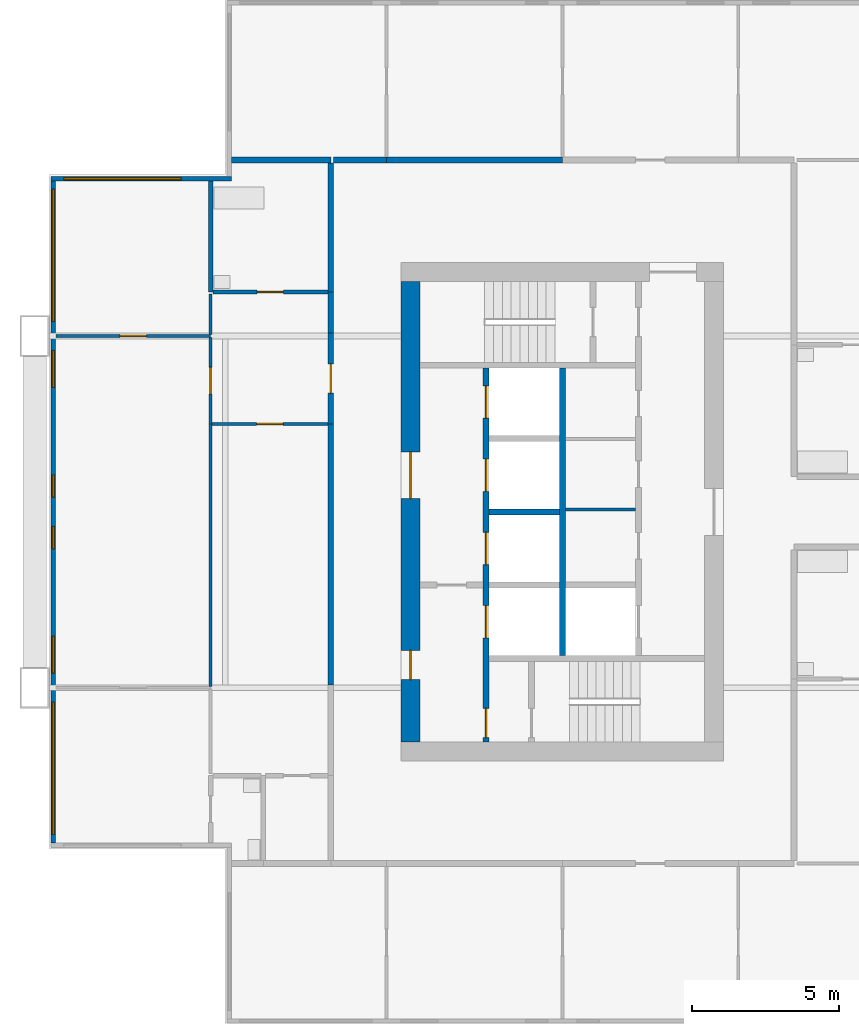
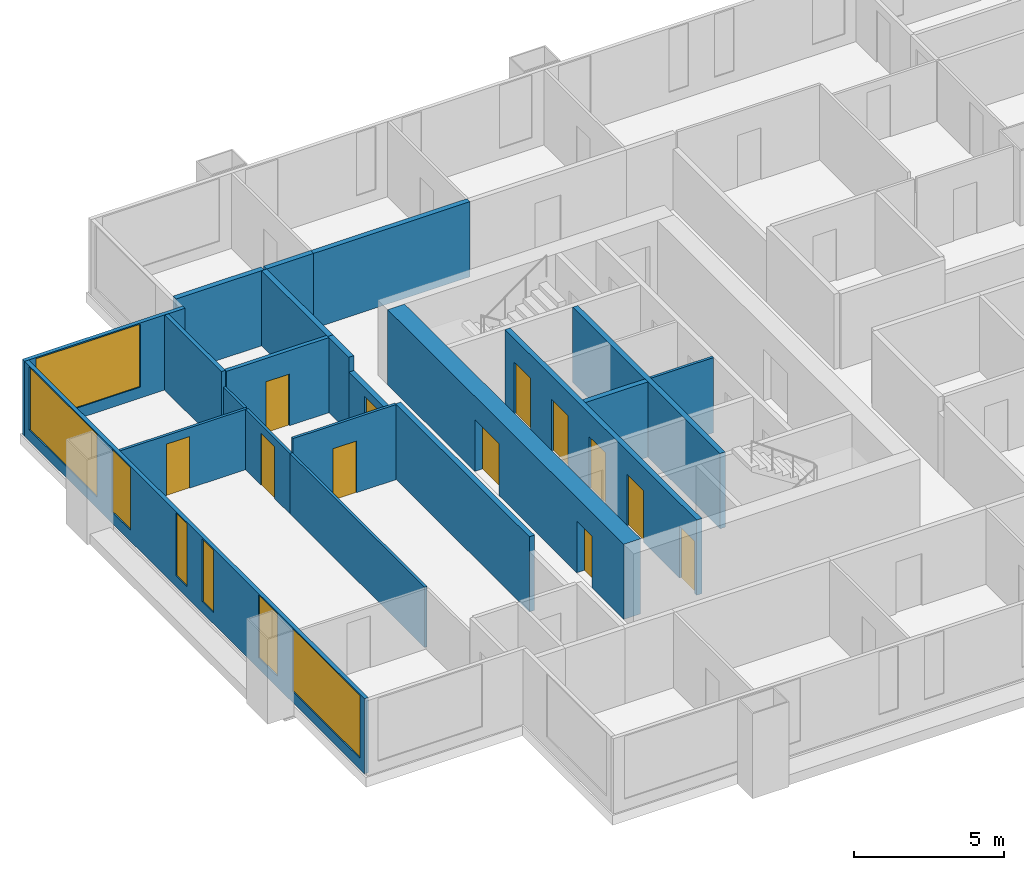
# One storey, part 3 of 11: 21 walls, 12 doors, 7 windows, 19 openings.
"""IFC4 building model written with IfcOpenShell, lengths in metres."""

import ifcopenshell
import ifcopenshell.guid

model = None  # the IFC model being written
_history = None  # IfcOwnerHistory: only IFC2X3 demands one
_inside = {}  # id of a spatial element -> (the spatial element, [elements in it])
_under = {}  # id of a project, library or spatial element -> (it, [spatial elements below it])
_declared = {}  # id of a project -> (the project, [libraries it declares])
_typed = {}  # id of a type object -> (the type object, [elements of that type])
_made_of = {}  # id of a material, layer set ... -> (it, [elements and type objects made of it])


def new_model(schema):
    """Start an empty IFC model of exactly this schema.

    Asked for "IFC4X3", IfcOpenShell would pick the latest addendum, in which some entities
    have other attributes; the version numbers below select the first issue.
    IFC2X3 requires an IfcOwnerHistory on every rooted entity: one is made here for all.
    """
    global model, _history
    if schema == "IFC4X3":
        model = ifcopenshell.file(schema_version=(4, 3, 0, 0))
    else:
        model = ifcopenshell.file(schema=schema)
    _inside.clear()
    _under.clear()
    _declared.clear()
    _typed.clear()
    _made_of.clear()
    _history = None
    if model.schema == "IFC2X3":
        org = make("IfcOrganization", Name="unknown")
        user = make(
            "IfcPersonAndOrganization",
            ThePerson=make("IfcPerson", FamilyName="unknown"),
            TheOrganization=org,
        )
        app = make(
            "IfcApplication",
            ApplicationDeveloper=org,
            Version="unknown",
            ApplicationFullName="unknown",
            ApplicationIdentifier="unknown",
        )
        _history = make(
            "IfcOwnerHistory",
            OwningUser=user,
            OwningApplication=app,
            ChangeAction="ADDED",
            CreationDate=0,
        )
    return model


def make(cls, **values):
    """One entity of the class cls with the attributes given. An attribute that is None is left unset."""
    return model.create_entity(
        cls, **{name: value for name, value in values.items() if value is not None}
    )


def rooted(cls, **values):
    """An entity with a GlobalId (a new one), such as an element, a storey or a relation."""
    return make(cls, GlobalId=ifcopenshell.guid.new(), OwnerHistory=_history, **values)


def si_unit(unit_type, name, prefix=None):
    """IfcSIUnit, for example si_unit("LENGTHUNIT", "METRE", prefix="MILLI")."""
    return make("IfcSIUnit", UnitType=unit_type, Prefix=prefix, Name=name)


def assignment(units):
    """IfcUnitAssignment: the units of a project."""
    return None if units is None else make("IfcUnitAssignment", Units=units)


def point(xyz):
    """IfcCartesianPoint."""
    return None if xyz is None else make("IfcCartesianPoint", Coordinates=xyz)


def direction(xyz):
    """IfcDirection."""
    return None if xyz is None else make("IfcDirection", DirectionRatios=xyz)


def frame(location, z_axis=None, x_axis=None):
    """IfcAxis2Placement3D, a coordinate frame: its origin and axes. An axis left out is left unset."""
    return make(
        "IfcAxis2Placement3D",
        Location=point(location),
        Axis=direction(z_axis),
        RefDirection=direction(x_axis),
    )


def frame_2d(location, x_axis=None):
    """IfcAxis2Placement2D, a coordinate frame in the plane: its origin and x axis."""
    return make(
        "IfcAxis2Placement2D", Location=point(location), RefDirection=direction(x_axis)
    )


def origin():
    """The frame at (0, 0, 0) with its axes left unset."""
    return frame((0.0, 0.0, 0.0))


def place(relative_to, where):
    """IfcLocalPlacement: puts the frame where relative to a parent placement (None: the world)."""
    return make(
        "IfcLocalPlacement", PlacementRelTo=relative_to, RelativePlacement=where
    )


def context(
    kind, dimensions, precision=None, world=None, true_north=None, identifier=None
):
    """IfcGeometricRepresentationContext, for example the 3D "Model" context."""
    return make(
        "IfcGeometricRepresentationContext",
        ContextIdentifier=identifier,
        ContextType=kind,
        CoordinateSpaceDimension=dimensions,
        Precision=precision,
        WorldCoordinateSystem=world,
        TrueNorth=true_north,
    )


def subcontext(parent, identifier, kind, view, scale=None):
    """IfcGeometricRepresentationSubContext, for example "Body" below "Model"."""
    return make(
        "IfcGeometricRepresentationSubContext",
        ContextIdentifier=identifier,
        ContextType=kind,
        ParentContext=parent,
        TargetScale=scale,
        TargetView=view,
    )


def project(units=None, contexts=None):
    """IfcProject with its units and contexts."""
    return rooted(
        "IfcProject",
        Name="project",
        RepresentationContexts=contexts,
        UnitsInContext=assignment(units),
    )


def spatial(cls, under=None, at=None, **own):
    """A site, building, storey or space (cls), placed at a placement, below another one or the project."""
    s = rooted(cls, ObjectPlacement=at, **own)
    if under is not None:
        _under.setdefault(under.id(), (under, []))[1].append(s)
    return s


def profile(cls, at=None, kind="AREA", **sizes):
    """A parametric profile (cls). Its sizes go by their IFC names, for example OverallWidth=200.0."""
    return make(cls, ProfileType=kind, Position=at, **sizes)


def rectangle(**sizes):
    """IfcRectangleProfileDef."""
    return profile("IfcRectangleProfileDef", **sizes)


def extrude(swept, where, along, depth):
    """IfcExtrudedAreaSolid: the profile swept, set in the frame where, extruded along a direction by depth."""
    return make(
        "IfcExtrudedAreaSolid",
        SweptArea=swept,
        Position=where,
        ExtrudedDirection=direction(along),
        Depth=depth,
    )


def shape(context_of_items, identifier, shape_type, items):
    """IfcShapeRepresentation: the items that make up one representation, for example the "Body"."""
    return make(
        "IfcShapeRepresentation",
        ContextOfItems=context_of_items,
        RepresentationIdentifier=identifier,
        RepresentationType=shape_type,
        Items=items,
    )


def material(Name=None, Category=None):
    """IfcMaterial."""
    return make("IfcMaterial", Name=Name, Category=Category)


def layer(
    of_material, thickness, ventilated=None, Name=None, Category=None, Priority=None
):
    """IfcMaterialLayer: one layer of a wall or slab, of a material (None: an air gap)."""
    return make(
        "IfcMaterialLayer",
        Material=of_material,
        LayerThickness=thickness,
        IsVentilated=ventilated,
        Name=Name,
        Category=Category,
        Priority=Priority,
    )


def layer_set(layers, Name=None):
    """IfcMaterialLayerSet."""
    return make("IfcMaterialLayerSet", MaterialLayers=layers, LayerSetName=Name)


def made_of(thing, what):
    """Note that an element or type object is made of a material, layer set ...; save() writes the relation."""
    if what is not None:
        _made_of.setdefault(what.id(), (what, []))[1].append(thing)
    return thing


def type_object(cls, material=None, **own):
    """A type object (cls), such as IfcWallType, which elements share."""
    return made_of(rooted(cls, **own), material)


def element(
    cls,
    number,
    at=None,
    inside=None,
    cuts=None,
    type_object=None,
    material=None,
    context=None,
    identifier="Body",
    shape_type=None,
    held_by="IfcProductDefinitionShape",
    body=None,
    shapes=None,
    **own,
):
    """One element of the class cls, such as IfcWall. Its Tag is "e" and its number.

    at: its placement. inside: the storey or other place that contains it. cuts: it is an
    opening in that element (IfcRelVoidsElement). A single representation is given by context,
    identifier, shape_type and body (its items); several are given by shapes. held_by: the class
    of the entity that holds the representations. save() writes the other relations.
    """
    e = rooted(cls, Tag="e%d" % number, ObjectPlacement=at, **own)
    if body is not None:
        shapes = [shape(context, identifier, shape_type, body)]
    if shapes is not None:
        e.Representation = make(held_by, Representations=shapes)
    if inside is not None:
        _inside.setdefault(inside.id(), (inside, []))[1].append(e)
    if cuts is not None:
        rooted(
            "IfcRelVoidsElement", RelatingBuildingElement=cuts, RelatedOpeningElement=e
        )
    if type_object is not None:
        _typed.setdefault(type_object.id(), (type_object, []))[1].append(e)
    return made_of(e, material)


def fill(opening, filler):
    """IfcRelFillsElement: the door or window that sits in an opening."""
    return rooted(
        "IfcRelFillsElement",
        RelatingOpeningElement=opening,
        RelatedBuildingElement=filler,
    )


def aggregate(whole, parts):
    """IfcRelAggregates: a whole, such as a stair, and the parts it consists of."""
    return rooted("IfcRelAggregates", RelatingObject=whole, RelatedObjects=parts)


def save(model, path):
    """Write the relations noted so far, then the file.

    IfcRelAggregates (storeys below a building ...), IfcRelContainedInSpatialStructure (elements
    in a storey), IfcRelDefinesByType, IfcRelAssociatesMaterial and IfcRelDeclares: one each for
    every whole, place, type object, material and project.
    """
    for whole, parts in _under.values():
        aggregate(whole, parts)
    for where, things in _inside.values():
        rooted(
            "IfcRelContainedInSpatialStructure",
            RelatedElements=things,
            RelatingStructure=where,
        )
    for kind, things in _typed.values():
        rooted("IfcRelDefinesByType", RelatedObjects=things, RelatingType=kind)
    for what, things in _made_of.values():
        rooted("IfcRelAssociatesMaterial", RelatedObjects=things, RelatingMaterial=what)
    for by, libraries in _declared.values():
        rooted("IfcRelDeclares", RelatingContext=by, RelatedDefinitions=libraries)
    model.write(path)


model = new_model("IFC4")

# Units and contexts
model_context = context("Model", 3, precision=1e-05, world=origin(), true_north=direction((0.0, 1.0)))
body_context = subcontext(model_context, "Body", "Model", "MODEL_VIEW")
ifc_project = project(units=[si_unit("LENGTHUNIT", "METRE"), si_unit("AREAUNIT", "SQUARE_METRE"), si_unit("VOLUMEUNIT", "CUBIC_METRE"), si_unit("PLANEANGLEUNIT", "RADIAN"), si_unit("MASSUNIT", "GRAM", prefix="KILO")], contexts=[model_context])

# Site, building, storey
site_placement = place(None, origin())
site = spatial("IfcSite", under=ifc_project, at=site_placement, CompositionType="ELEMENT")
building_placement = place(site_placement, origin())
building = spatial("IfcBuilding", under=site, at=building_placement, Name="Kitamizu Gate Tower and Museum", CompositionType="ELEMENT")
storey_placement = place(building_placement, frame((0.0, 0.0, 124.199951171875)))
storey = spatial("IfcBuildingStorey", under=building, at=storey_placement, Name="L32", CompositionType="ELEMENT", Elevation=124.199951171875)

# Wall, openings, doors
ifc_material_1 = material(Name="Concrete Fc60", Category="concrete")
ifc_layer_1 = layer(ifc_material_1, 0.64990234375)
ifc_layer_set_1 = layer_set([ifc_layer_1], Name="Concrete Fc60")
wall_type_1 = type_object("IfcWallType", Name="Core wall 650", PredefinedType="SHEAR", material=ifc_layer_set_1)
wall_1_placement = place(storey_placement, frame((12.824951171875, 22.14990234375, 0.0), z_axis=(0.0, 0.0, 1.0), x_axis=(0.0, 1.0, 0.0)))
wall_1 = element("IfcWall", 1, at=wall_1_placement, inside=storey, type_object=wall_type_1, Name="Core wall WOUT", PredefinedType="SHEAR", context=body_context, shape_type="SweptSolid", body=[
    extrude(rectangle(XDim=15.7001953125, YDim=0.64990234375, at=frame_2d((7.85009765625, 0.0))), origin(), (0.0, 0.0, 1.0), 3.050048828125),
])
opening_1_placement = place(wall_1_placement, frame((8.300048828125, 0.0, 0.0)))
opening_1 = element("IfcOpeningElement", 2, at=opening_1_placement, cuts=wall_1, Name="Opening L32-053", PredefinedType="OPENING", context=body_context, shape_type="SweptSolid", body=[
    extrude(rectangle(XDim=1.60009765625, YDim=2.10009765625, at=frame_2d((0.800048828125, 1.050048828125))), frame((0.0, 0.3349609375, 0.0), z_axis=(0.0, -1.0, 0.0), x_axis=(1.0, 0.0, 0.0)), (0.0, 0.0, 1.0), 0.669921875),
])
opening_2_placement = place(wall_1_placement, frame((2.125, 0.0, 0.0)))
opening_2 = element("IfcOpeningElement", 3, at=opening_2_placement, cuts=wall_1, Name="Opening L32-054", PredefinedType="OPENING", context=body_context, shape_type="SweptSolid", body=[
    extrude(rectangle(XDim=1.0, YDim=2.10009765625, at=frame_2d((0.5, 1.050048828125))), frame((0.0, 0.3349609375, 0.0), z_axis=(0.0, -1.0, 0.0), x_axis=(1.0, 0.0, 0.0)), (0.0, 0.0, 1.0), 0.669921875),
])
ifc_material_2 = material(Name="Timber door set", Category="wood")
door_type_1 = type_object("IfcDoorType", Name="Entrance door 1600", OperationType="DOUBLE_DOOR_SINGLE_SWING", PredefinedType="DOOR", material=ifc_material_2)
door_1_placement = place(opening_1_placement, origin())
door_1 = element("IfcDoor", 4, at=door_1_placement, inside=storey, type_object=door_type_1, Name="Lobby door L32-053", OperationType="DOUBLE_DOOR_SINGLE_SWING", OverallHeight=2.10009765625, OverallWidth=1.60009765625, PredefinedType="DOOR", context=body_context, shape_type="SweptSolid", body=[
    extrude(rectangle(XDim=1.60009765625, YDim=2.10009765625, at=frame_2d((0.800048828125, 1.050048828125))), frame((0.0, 0.02490234375, 0.0), z_axis=(0.0, -1.0, 0.0), x_axis=(1.0, 0.0, 0.0)), (0.0, 0.0, 1.0), 0.050048828125),
])
fill(opening_1, door_1)
ifc_material_3 = material(Name="Hollow metal door set")
door_type_2 = type_object("IfcDoorType", Name="Fire door 1000", OperationType="NOTDEFINED", PredefinedType="DOOR", material=ifc_material_3)
door_2_placement = place(opening_2_placement, frame((1.0, 0.0, 0.0), x_axis=(-1.0, 0.0, 0.0)))
door_2 = element("IfcDoor", 5, at=door_2_placement, inside=storey, type_object=door_type_2, Name="Fire-fighting lobby door L32-054", OperationType="SINGLE_SWING_LEFT", OverallHeight=2.10009765625, OverallWidth=1.0, PredefinedType="DOOR", context=body_context, shape_type="SweptSolid", body=[
    extrude(rectangle(XDim=1.0, YDim=2.10009765625, at=frame_2d((0.5, 1.050048828125))), frame((0.0, 0.02490234375, 0.0), z_axis=(0.0, -1.0, 0.0), x_axis=(1.0, 0.0, 0.0)), (0.0, 0.0, 1.0), 0.050048828125),
])
fill(opening_2, door_2)

# Wall
ifc_material_4 = material(Name="Gypsum board on galvanised stud")
ifc_layer_2 = layer(ifc_material_4, 0.10009765625)
ifc_layer_set_2 = layer_set([ifc_layer_2], Name="Gypsum board on galvanised stud")
wall_type_2 = type_object("IfcWallType", Name="Partition 100", PredefinedType="PARTITIONING", material=ifc_layer_set_2)
wall_2_placement = place(storey_placement, frame((18.10009765625, 30.08203125, 0.0), z_axis=(0.0, 0.0, 1.0), x_axis=(1.0, 0.0, 0.0)))
element("IfcWall", 6, at=wall_2_placement, inside=storey, type_object=wall_type_2, Name="Partition WPF1", PredefinedType="PARTITIONING", context=body_context, shape_type="SweptSolid", body=[
    extrude(rectangle(XDim=2.39990234375, YDim=0.10009765625, at=frame_2d((1.199951171875, 0.0))), origin(), (0.0, 0.0, 1.0), 3.050048828125),
])

# Wall, opening, door
ifc_material_5 = material(Name="Gypsum board on galvanised stud")
ifc_layer_3 = layer(ifc_material_5, 0.10009765625)
ifc_layer_set_3 = layer_set([ifc_layer_3], Name="Gypsum board on galvanised stud")
wall_type_3 = type_object("IfcWallType", Name="Partition 100 NOT RATED", PredefinedType="PARTITIONING", material=ifc_layer_set_3)
wall_3_placement = place(storey_placement, frame((6.0, 36.0, 0.0), z_axis=(0.0, 0.0, 1.0), x_axis=(-1.0, 0.0, 0.0)))
wall_3 = element("IfcWall", 7, at=wall_3_placement, inside=storey, type_object=wall_type_3, Name="Partition L32-037", PredefinedType="PARTITIONING", context=body_context, shape_type="SweptSolid", body=[
    extrude(rectangle(XDim=5.280029296875, YDim=0.10009765625, at=frame_2d((2.64013671875, 0.0))), origin(), (0.0, 0.0, 1.0), 2.449951171875),
])
opening_3_placement = place(wall_3_placement, frame((2.18994140625, 0.0, 0.0)))
opening_3 = element("IfcOpeningElement", 8, at=opening_3_placement, cuts=wall_3, Name="Opening L32-016", PredefinedType="OPENING", context=body_context, shape_type="SweptSolid", body=[
    extrude(rectangle(XDim=0.89990234375, YDim=2.10009765625, at=frame_2d((0.449951171875, 1.050048828125))), frame((0.0, 0.06005859375, 0.0), z_axis=(0.0, -1.0, 0.0), x_axis=(1.0, 0.0, 0.0)), (0.0, 0.0, 1.0), 0.1201171875),
])
ifc_material_6 = material(Name="Timber door set", Category="wood")
door_type_3 = type_object("IfcDoorType", Name="Room door 900", OperationType="NOTDEFINED", PredefinedType="DOOR", material=ifc_material_6)
door_3_placement = place(opening_3_placement, frame((0.89990234375, 0.0, 0.0), x_axis=(-1.0, 0.0, 0.0)))
door_3 = element("IfcDoor", 9, at=door_3_placement, inside=storey, type_object=door_type_3, Name="Door L32-016", OperationType="SINGLE_SWING_RIGHT", OverallHeight=2.10009765625, OverallWidth=0.89990234375, PredefinedType="DOOR", context=body_context, shape_type="SweptSolid", body=[
    extrude(rectangle(XDim=0.89990234375, YDim=2.10009765625, at=frame_2d((0.449951171875, 1.050048828125))), frame((0.0, 0.02490234375, 0.0), z_axis=(0.0, -1.0, 0.0), x_axis=(1.0, 0.0, 0.0)), (0.0, 0.0, 1.0), 0.050048828125),
])
fill(opening_3, door_3)

# Wall
wall_4_placement = place(storey_placement, frame((6.0, 24.050048828125, 0.0), z_axis=(0.0, 0.0, 1.0), x_axis=(0.0, 1.0, 0.0)))
element("IfcWall", 10, at=wall_4_placement, inside=storey, type_object=wall_type_3, Name="Partition L32-038", PredefinedType="PARTITIONING", context=body_context, shape_type="SweptSolid", body=[
    extrude(rectangle(XDim=8.949951171875, YDim=0.10009765625, at=frame_2d((4.47509765625, 0.0))), origin(), (0.0, 0.0, 1.0), 2.449951171875),
])

# Wall, opening, door
wall_5_placement = place(storey_placement, frame((6.0, 33.0, 0.0), z_axis=(0.0, 0.0, 1.0), x_axis=(0.0, 1.0, 0.0)))
wall_5 = element("IfcWall", 11, at=wall_5_placement, inside=storey, type_object=wall_type_3, Name="Partition L32-039", PredefinedType="PARTITIONING", context=body_context, shape_type="SweptSolid", body=[
    extrude(rectangle(XDim=2.949951171875, YDim=0.10009765625, at=frame_2d((1.47509765625, 0.0))), origin(), (0.0, 0.0, 1.0), 2.449951171875),
])
opening_4_placement = place(wall_5_placement, frame((1.02490234375, 0.0, 0.0)))
opening_4 = element("IfcOpeningElement", 12, at=opening_4_placement, cuts=wall_5, Name="Opening L32-013", PredefinedType="OPENING", context=body_context, shape_type="SweptSolid", body=[
    extrude(rectangle(XDim=0.89990234375, YDim=2.10009765625, at=frame_2d((0.449951171875, 1.050048828125))), frame((0.0, 0.06005859375, 0.0), z_axis=(0.0, -1.0, 0.0), x_axis=(1.0, 0.0, 0.0)), (0.0, 0.0, 1.0), 0.1201171875),
])
door_4_placement = place(opening_4_placement, origin())
door_4 = element("IfcDoor", 13, at=door_4_placement, inside=storey, type_object=door_type_3, Name="Door L32-013", OperationType="SINGLE_SWING_LEFT", OverallHeight=2.10009765625, OverallWidth=0.89990234375, PredefinedType="DOOR", context=body_context, shape_type="SweptSolid", body=[
    extrude(rectangle(XDim=0.89990234375, YDim=2.10009765625, at=frame_2d((0.449951171875, 1.050048828125))), frame((0.0, 0.02490234375, 0.0), z_axis=(0.0, -1.0, 0.0), x_axis=(1.0, 0.0, 0.0)), (0.0, 0.0, 1.0), 0.050048828125),
])
fill(opening_4, door_4)

# Wall
wall_6_placement = place(storey_placement, frame((6.0, 36.050048828125, 0.0), z_axis=(0.0, 0.0, 1.0), x_axis=(0.0, 1.0, 0.0)))
element("IfcWall", 14, at=wall_6_placement, inside=storey, type_object=wall_type_3, Name="Partition L32-040", PredefinedType="PARTITIONING", context=body_context, shape_type="SweptSolid", body=[
    extrude(rectangle(XDim=1.375, YDim=0.10009765625, at=frame_2d((0.6875, 0.0))), origin(), (0.0, 0.0, 1.0), 2.449951171875),
])

# Wall, opening, door
wall_7_placement = place(storey_placement, frame((10.0, 33.0, 0.0), z_axis=(0.0, 0.0, 1.0), x_axis=(-1.0, 0.0, 0.0)))
wall_7 = element("IfcWall", 15, at=wall_7_placement, inside=storey, type_object=wall_type_3, Name="Partition L32-046", PredefinedType="PARTITIONING", context=body_context, shape_type="SweptSolid", body=[
    extrude(rectangle(XDim=3.949951171875, YDim=0.10009765625, at=frame_2d((1.97509765625, 0.0))), origin(), (0.0, 0.0, 1.0), 3.050048828125),
])
opening_5_placement = place(wall_7_placement, frame((1.52490234375, 0.0, 0.0)))
opening_5 = element("IfcOpeningElement", 16, at=opening_5_placement, cuts=wall_7, Name="Opening L32-014", PredefinedType="OPENING", context=body_context, shape_type="SweptSolid", body=[
    extrude(rectangle(XDim=0.89990234375, YDim=2.10009765625, at=frame_2d((0.449951171875, 1.050048828125))), frame((0.0, 0.06005859375, 0.0), z_axis=(0.0, -1.0, 0.0), x_axis=(1.0, 0.0, 0.0)), (0.0, 0.0, 1.0), 0.1201171875),
])
door_5_placement = place(opening_5_placement, frame((0.89990234375, 0.0, 0.0), x_axis=(-1.0, 0.0, 0.0)))
door_5 = element("IfcDoor", 17, at=door_5_placement, inside=storey, type_object=door_type_3, Name="Door L32-014", OperationType="SINGLE_SWING_RIGHT", OverallHeight=2.10009765625, OverallWidth=0.89990234375, PredefinedType="DOOR", context=body_context, shape_type="SweptSolid", body=[
    extrude(rectangle(XDim=0.89990234375, YDim=2.10009765625, at=frame_2d((0.449951171875, 1.050048828125))), frame((0.0, 0.02490234375, 0.0), z_axis=(0.0, -1.0, 0.0), x_axis=(1.0, 0.0, 0.0)), (0.0, 0.0, 1.0), 0.050048828125),
])
fill(opening_5, door_5)

# Wall
ifc_material_7 = material(Name="Gypsum board on galvanised stud")
ifc_layer_4 = layer(ifc_material_7, 0.14990234375)
ifc_layer_set_4 = layer_set([ifc_layer_4], Name="Gypsum board on galvanised stud")
wall_type_4 = type_object("IfcWallType", Name="Partition 150", PredefinedType="PARTITIONING", material=ifc_layer_set_4)
wall_8_placement = place(storey_placement, frame((6.0, 37.5, 0.0), z_axis=(0.0, 0.0, 1.0), x_axis=(0.0, 1.0, 0.0)))
element("IfcWall", 18, at=wall_8_placement, inside=storey, type_object=wall_type_4, Name="Partition L32-041", PredefinedType="PARTITIONING", context=body_context, shape_type="SweptSolid", body=[
    extrude(rectangle(XDim=3.780029296875, YDim=0.14990234375, at=frame_2d((1.89013671875, 0.0))), origin(), (0.0, 0.0, 1.0), 3.050048828125),
])

# Wall, opening, door
wall_9_placement = place(storey_placement, frame((10.0, 37.5, 0.0), z_axis=(0.0, 0.0, 1.0), x_axis=(-1.0, 0.0, 0.0)))
wall_9 = element("IfcWall", 19, at=wall_9_placement, inside=storey, type_object=wall_type_4, Name="Partition L32-049", PredefinedType="PARTITIONING", context=body_context, shape_type="SweptSolid", body=[
    extrude(rectangle(XDim=3.925048828125, YDim=0.14990234375, at=frame_2d((1.96240234375, 0.0))), origin(), (0.0, 0.0, 1.0), 3.050048828125),
])
opening_6_placement = place(wall_9_placement, frame((1.512451171875, 0.0, 0.0)))
opening_6 = element("IfcOpeningElement", 20, at=opening_6_placement, cuts=wall_9, Name="Opening L32-019", PredefinedType="OPENING", context=body_context, shape_type="SweptSolid", body=[
    extrude(rectangle(XDim=0.89990234375, YDim=2.10009765625, at=frame_2d((0.449951171875, 1.050048828125))), frame((0.0, 0.0849609375, 0.0), z_axis=(0.0, -1.0, 0.0), x_axis=(1.0, 0.0, 0.0)), (0.0, 0.0, 1.0), 0.169921875),
])
ifc_material_8 = material(Name="Timber door set", Category="wood")
door_type_4 = type_object("IfcDoorType", Name="Bathroom door 900", OperationType="NOTDEFINED", PredefinedType="DOOR", material=ifc_material_8)
door_6_placement = place(opening_6_placement, frame((0.89990234375, 0.0, 0.0), x_axis=(-1.0, 0.0, 0.0)))
door_6 = element("IfcDoor", 21, at=door_6_placement, inside=storey, type_object=door_type_4, Name="Bathroom door L32-019", OperationType="SINGLE_SWING_LEFT", OverallHeight=2.10009765625, OverallWidth=0.89990234375, PredefinedType="DOOR", context=body_context, shape_type="SweptSolid", body=[
    extrude(rectangle(XDim=0.89990234375, YDim=2.10009765625, at=frame_2d((0.449951171875, 1.050048828125))), frame((0.0, 0.02490234375, 0.0), z_axis=(0.0, -1.0, 0.0), x_axis=(1.0, 0.0, 0.0)), (0.0, 0.0, 1.0), 0.050048828125),
])
fill(opening_6, door_6)

# Wall
ifc_material_9 = material(Name="Gypsum board on galvanised stud")
ifc_layer_5 = layer(ifc_material_9, 0.199951171875)
ifc_layer_set_5 = layer_set([ifc_layer_5], Name="Gypsum board on galvanised stud")
wall_type_5 = type_object("IfcWallType", Name="Partition 200", PredefinedType="PARTITIONING", material=ifc_layer_set_5)
wall_10_placement = place(storey_placement, frame((10.10009765625, 24.10009765625, 0.0), z_axis=(0.0, 0.0, 1.0), x_axis=(0.0, 1.0, 0.0)))
element("IfcWall", 22, at=wall_10_placement, inside=storey, type_object=wall_type_5, Name="Partition L32-048", PredefinedType="PARTITIONING", context=body_context, shape_type="SweptSolid", body=[
    extrude(rectangle(XDim=8.89990234375, YDim=0.199951171875, at=frame_2d((4.449951171875, 0.0))), origin(), (0.0, 0.0, 1.0), 3.050048828125),
])

# Wall, opening, door
wall_11_placement = place(storey_placement, frame((10.10009765625, 33.0, 0.0), z_axis=(0.0, 0.0, 1.0), x_axis=(0.0, 1.0, 0.0)))
wall_11 = element("IfcWall", 23, at=wall_11_placement, inside=storey, type_object=wall_type_5, Name="Partition L32-050", PredefinedType="PARTITIONING", context=body_context, shape_type="SweptSolid", body=[
    extrude(rectangle(XDim=3.10009765625, YDim=0.199951171875, at=frame_2d((1.550048828125, 0.0))), origin(), (0.0, 0.0, 1.0), 2.449951171875),
])
opening_7_placement = place(wall_11_placement, frame((1.050048828125, 0.0, 0.0)))
opening_7 = element("IfcOpeningElement", 24, at=opening_7_placement, cuts=wall_11, Name="Opening L32-012", PredefinedType="OPENING", context=body_context, shape_type="SweptSolid", body=[
    extrude(rectangle(XDim=1.0, YDim=2.10009765625, at=frame_2d((0.5, 1.050048828125))), frame((0.0, 0.10986328125, 0.0), z_axis=(0.0, -1.0, 0.0), x_axis=(1.0, 0.0, 0.0)), (0.0, 0.0, 1.0), 0.219970703125),
])
ifc_material_10 = material(Name="Timber door set", Category="wood")
door_type_5 = type_object("IfcDoorType", Name="Flat entrance door 1000", OperationType="NOTDEFINED", PredefinedType="DOOR", material=ifc_material_10)
door_7_placement = place(opening_7_placement, origin())
door_7 = element("IfcDoor", 25, at=door_7_placement, inside=storey, type_object=door_type_5, Name="Flat entrance door L32-012", OperationType="SINGLE_SWING_RIGHT", OverallHeight=2.10009765625, OverallWidth=1.0, PredefinedType="DOOR", context=body_context, shape_type="SweptSolid", body=[
    extrude(rectangle(XDim=1.0, YDim=2.10009765625, at=frame_2d((0.5, 1.050048828125))), frame((0.0, 0.02490234375, 0.0), z_axis=(0.0, -1.0, 0.0), x_axis=(1.0, 0.0, 0.0)), (0.0, 0.0, 1.0), 0.050048828125),
])
fill(opening_7, door_7)

# Walls
wall_12_placement = place(storey_placement, frame((10.10009765625, 36.10009765625, 0.0), z_axis=(0.0, 0.0, 1.0), x_axis=(0.0, 1.0, 0.0)))
element("IfcWall", 26, at=wall_12_placement, inside=storey, type_object=wall_type_5, Name="Partition L32-051", PredefinedType="PARTITIONING", context=body_context, shape_type="SweptSolid", body=[
    extrude(rectangle(XDim=1.39990234375, YDim=0.199951171875, at=frame_2d((0.699951171875, 0.0))), origin(), (0.0, 0.0, 1.0), 3.050048828125),
])
wall_13_placement = place(storey_placement, frame((10.10009765625, 42.0, 0.0), z_axis=(0.0, 0.0, 1.0), x_axis=(-1.0, 0.0, 0.0)))
element("IfcWall", 27, at=wall_13_placement, inside=storey, type_object=wall_type_5, Name="Partition L32-052", PredefinedType="PARTITIONING", context=body_context, shape_type="SweptSolid", body=[
    extrude(rectangle(XDim=3.380126953125, YDim=0.199951171875, at=frame_2d((1.68994140625, 0.0))), origin(), (0.0, 0.0, 1.0), 3.050048828125),
])
wall_14_placement = place(storey_placement, frame((10.10009765625, 37.5, 0.0), z_axis=(0.0, 0.0, 1.0), x_axis=(0.0, 1.0, 0.0)))
element("IfcWall", 28, at=wall_14_placement, inside=storey, type_object=wall_type_5, Name="Partition L32-053", PredefinedType="PARTITIONING", context=body_context, shape_type="SweptSolid", body=[
    extrude(rectangle(XDim=4.39990234375, YDim=0.199951171875, at=frame_2d((2.199951171875, 0.0))), origin(), (0.0, 0.0, 1.0), 3.050048828125),
])
wall_15_placement = place(storey_placement, frame((10.199951171875, 42.0, 0.0), z_axis=(0.0, 0.0, 1.0), x_axis=(1.0, 0.0, 0.0)))
element("IfcWall", 29, at=wall_15_placement, inside=storey, type_object=wall_type_5, Name="Partition L32-055", PredefinedType="PARTITIONING", context=body_context, shape_type="SweptSolid", body=[
    extrude(rectangle(XDim=1.800048828125, YDim=0.199951171875, at=frame_2d((0.89990234375, 0.0))), origin(), (0.0, 0.0, 1.0), 3.050048828125),
])
wall_16_placement = place(storey_placement, frame((12.0, 42.0, 0.0), z_axis=(0.0, 0.0, 1.0), x_axis=(1.0, 0.0, 0.0)))
element("IfcWall", 30, at=wall_16_placement, inside=storey, type_object=wall_type_5, Name="Partition L32-057", PredefinedType="PARTITIONING", context=body_context, shape_type="SweptSolid", body=[
    extrude(rectangle(XDim=6.0, YDim=0.199951171875, at=frame_2d((3.0, 0.0))), origin(), (0.0, 0.0, 1.0), 3.050048828125),
])

# Wall, openings, doors
ifc_material_11 = material(Name="Concrete Fc42", Category="concrete")
ifc_layer_6 = layer(ifc_material_11, 0.199951171875)
ifc_layer_set_6 = layer_set([ifc_layer_6], Name="Concrete Fc42")
wall_type_6 = type_object("IfcWallType", Name="Shaft wall 200", PredefinedType="SOLIDWALL", material=ifc_layer_set_6)
wall_17_placement = place(storey_placement, frame((15.39990234375, 22.14990234375, 0.0), z_axis=(0.0, 0.0, 1.0), x_axis=(0.0, 1.0, 0.0)))
wall_17 = element("IfcWall", 31, at=wall_17_placement, inside=storey, type_object=wall_type_6, Name="Shaft wall WWEST", PredefinedType="SOLIDWALL", context=body_context, shape_type="SweptSolid", body=[
    extrude(rectangle(XDim=12.75, YDim=0.199951171875, at=frame_2d((6.375, 0.0))), origin(), (0.0, 0.0, 1.0), 3.050048828125),
])
opening_8_placement = place(wall_17_placement, frame((3.550048828125, 0.0, 0.0)))
opening_8 = element("IfcOpeningElement", 32, at=opening_8_placement, cuts=wall_17, Name="Opening LD", PredefinedType="OPENING", context=body_context, shape_type="SweptSolid", body=[
    extrude(rectangle(XDim=1.10009765625, YDim=2.10009765625, at=frame_2d((0.550048828125, 1.050048828125))), frame((0.0, 0.10986328125, 0.0), z_axis=(0.0, -1.0, 0.0), x_axis=(1.0, 0.0, 0.0)), (0.0, 0.0, 1.0), 0.219970703125),
])
opening_9_placement = place(wall_17_placement, frame((6.050048828125, 0.0, 0.0)))
opening_9 = element("IfcOpeningElement", 33, at=opening_9_placement, cuts=wall_17, Name="Opening LD", PredefinedType="OPENING", context=body_context, shape_type="SweptSolid", body=[
    extrude(rectangle(XDim=1.10009765625, YDim=2.10009765625, at=frame_2d((0.550048828125, 1.050048828125))), frame((0.0, 0.10986328125, 0.0), z_axis=(0.0, -1.0, 0.0), x_axis=(1.0, 0.0, 0.0)), (0.0, 0.0, 1.0), 0.219970703125),
])
opening_10_placement = place(wall_17_placement, frame((8.550048828125, 0.0, 0.0)))
opening_10 = element("IfcOpeningElement", 34, at=opening_10_placement, cuts=wall_17, Name="Opening LD", PredefinedType="OPENING", context=body_context, shape_type="SweptSolid", body=[
    extrude(rectangle(XDim=1.10009765625, YDim=2.10009765625, at=frame_2d((0.550048828125, 1.050048828125))), frame((0.0, 0.10986328125, 0.0), z_axis=(0.0, -1.0, 0.0), x_axis=(1.0, 0.0, 0.0)), (0.0, 0.0, 1.0), 0.219970703125),
])
opening_11_placement = place(wall_17_placement, frame((11.050048828125, 0.0, 0.0)))
opening_11 = element("IfcOpeningElement", 35, at=opening_11_placement, cuts=wall_17, Name="Opening LD", PredefinedType="OPENING", context=body_context, shape_type="SweptSolid", body=[
    extrude(rectangle(XDim=1.10009765625, YDim=2.10009765625, at=frame_2d((0.550048828125, 1.050048828125))), frame((0.0, 0.10986328125, 0.0), z_axis=(0.0, -1.0, 0.0), x_axis=(1.0, 0.0, 0.0)), (0.0, 0.0, 1.0), 0.219970703125),
])
opening_12_placement = place(wall_17_placement, frame((0.14990234375, 0.0, 0.0)))
opening_12 = element("IfcOpeningElement", 36, at=opening_12_placement, cuts=wall_17, Name="Opening L32-049", PredefinedType="OPENING", context=body_context, shape_type="SweptSolid", body=[
    extrude(rectangle(XDim=1.0, YDim=2.10009765625, at=frame_2d((0.5, 1.050048828125))), frame((0.0, 0.10986328125, 0.0), z_axis=(0.0, -1.0, 0.0), x_axis=(1.0, 0.0, 0.0)), (0.0, 0.0, 1.0), 0.219970703125),
])
door_8_placement = place(opening_12_placement, frame((1.0, 0.0, 0.0), x_axis=(-1.0, 0.0, 0.0)))
door_8 = element("IfcDoor", 37, at=door_8_placement, inside=storey, type_object=door_type_2, Name="Stair lobby door L32-049", OperationType="SINGLE_SWING_LEFT", OverallHeight=2.10009765625, OverallWidth=1.0, PredefinedType="DOOR", context=body_context, shape_type="SweptSolid", body=[
    extrude(rectangle(XDim=1.0, YDim=2.10009765625, at=frame_2d((0.5, 1.050048828125))), frame((0.0, 0.02490234375, 0.0), z_axis=(0.0, -1.0, 0.0), x_axis=(1.0, 0.0, 0.0)), (0.0, 0.0, 1.0), 0.050048828125),
])
fill(opening_12, door_8)
ifc_material_12 = material(Name="Hollow metal door set")
door_type_6 = type_object("IfcDoorType", Name="Landing door 1100", OperationType="SLIDING_TO_LEFT", PredefinedType="DOOR", material=ifc_material_12)
door_9_placement = place(opening_8_placement, origin())
door_9 = element("IfcDoor", 38, at=door_9_placement, inside=storey, type_object=door_type_6, Name="Landing door WFF1", OperationType="SLIDING_TO_LEFT", OverallHeight=2.10009765625, OverallWidth=1.10009765625, PredefinedType="DOOR", context=body_context, shape_type="SweptSolid", body=[
    extrude(rectangle(XDim=1.10009765625, YDim=2.10009765625, at=frame_2d((0.550048828125, 1.050048828125))), frame((0.0, 0.02490234375, 0.0), z_axis=(0.0, -1.0, 0.0), x_axis=(1.0, 0.0, 0.0)), (0.0, 0.0, 1.0), 0.050048828125),
])
fill(opening_8, door_9)
door_10_placement = place(opening_9_placement, origin())
door_10 = element("IfcDoor", 39, at=door_10_placement, inside=storey, type_object=door_type_6, Name="Landing door WL1", OperationType="SLIDING_TO_LEFT", OverallHeight=2.10009765625, OverallWidth=1.10009765625, PredefinedType="DOOR", context=body_context, shape_type="SweptSolid", body=[
    extrude(rectangle(XDim=1.10009765625, YDim=2.10009765625, at=frame_2d((0.550048828125, 1.050048828125))), frame((0.0, 0.02490234375, 0.0), z_axis=(0.0, -1.0, 0.0), x_axis=(1.0, 0.0, 0.0)), (0.0, 0.0, 1.0), 0.050048828125),
])
fill(opening_9, door_10)
door_11_placement = place(opening_10_placement, origin())
door_11 = element("IfcDoor", 40, at=door_11_placement, inside=storey, type_object=door_type_6, Name="Landing door WL2", OperationType="SLIDING_TO_LEFT", OverallHeight=2.10009765625, OverallWidth=1.10009765625, PredefinedType="DOOR", context=body_context, shape_type="SweptSolid", body=[
    extrude(rectangle(XDim=1.10009765625, YDim=2.10009765625, at=frame_2d((0.550048828125, 1.050048828125))), frame((0.0, 0.02490234375, 0.0), z_axis=(0.0, -1.0, 0.0), x_axis=(1.0, 0.0, 0.0)), (0.0, 0.0, 1.0), 0.050048828125),
])
fill(opening_10, door_11)
door_12_placement = place(opening_11_placement, origin())
door_12 = element("IfcDoor", 41, at=door_12_placement, inside=storey, type_object=door_type_6, Name="Landing door WL3", OperationType="SLIDING_TO_LEFT", OverallHeight=2.10009765625, OverallWidth=1.10009765625, PredefinedType="DOOR", context=body_context, shape_type="SweptSolid", body=[
    extrude(rectangle(XDim=1.10009765625, YDim=2.10009765625, at=frame_2d((0.550048828125, 1.050048828125))), frame((0.0, 0.02490234375, 0.0), z_axis=(0.0, -1.0, 0.0), x_axis=(1.0, 0.0, 0.0)), (0.0, 0.0, 1.0), 0.050048828125),
])
fill(opening_11, door_12)

# Walls
wall_18_placement = place(storey_placement, frame((18.0, 25.10009765625, 0.0), z_axis=(0.0, 0.0, 1.0), x_axis=(0.0, 1.0, 0.0)))
element("IfcWall", 42, at=wall_18_placement, inside=storey, type_object=wall_type_6, Name="Shaft wall WMID", PredefinedType="SOLIDWALL", context=body_context, shape_type="SweptSolid", body=[
    extrude(rectangle(XDim=9.7998046875, YDim=0.199951171875, at=frame_2d((4.89990234375, 0.0))), origin(), (0.0, 0.0, 1.0), 3.050048828125),
])
wall_19_placement = place(storey_placement, frame((15.5, 30.0, 0.0), z_axis=(0.0, 0.0, 1.0), x_axis=(1.0, 0.0, 0.0)))
element("IfcWall", 43, at=wall_19_placement, inside=storey, type_object=wall_type_6, Name="Shaft wall WDVW1", PredefinedType="SOLIDWALL", context=body_context, shape_type="SweptSolid", body=[
    extrude(rectangle(XDim=2.39990234375, YDim=0.199951171875, at=frame_2d((1.199951171875, 0.0))), origin(), (0.0, 0.0, 1.0), 3.050048828125),
])

# Wall, opening, window
ifc_material_13 = material(Name="Bronze anodised aluminium frame with insulated spandrel and tinted glass", Category="aluminium")
ifc_layer_7 = layer(ifc_material_13, 0.14990234375)
ifc_layer_set_7 = layer_set([ifc_layer_7], Name="Bronze anodised aluminium frame with insulated spandrel and tinted glass")
wall_type_7 = type_object("IfcWallType", Name="WINDOW WALL 150 BRONZE FRAME EI 30", PredefinedType="ELEMENTEDWALL", material=ifc_layer_set_7)
wall_20_placement = place(storey_placement, frame((0.56005859375, 41.364990234375, 0.0), z_axis=(0.0, 0.0, 1.0), x_axis=(1.0, 0.0, 0.0)))
wall_20 = element("IfcWall", 44, at=wall_20_placement, inside=storey, type_object=wall_type_7, Name="Window wall north L32", PredefinedType="ELEMENTEDWALL", context=body_context, shape_type="SweptSolid", body=[
    extrude(rectangle(XDim=6.14990234375, YDim=0.14990234375, at=frame_2d((3.074951171875, 0.0))), origin(), (0.0, 0.0, 1.0), 3.050048828125),
])
opening_13_placement = place(wall_20_placement, frame((0.43994140625, 0.0, 0.449951171875)))
opening_13 = element("IfcOpeningElement", 45, at=opening_13_placement, cuts=wall_20, Name="Opening W16", PredefinedType="OPENING", context=body_context, shape_type="SweptSolid", body=[
    extrude(rectangle(XDim=4.0, YDim=2.550048828125, at=frame_2d((2.0, 1.27490234375))), frame((0.0, 0.0849609375, 0.0), z_axis=(0.0, -1.0, 0.0), x_axis=(1.0, 0.0, 0.0)), (0.0, 0.0, 1.0), 0.169921875),
])
ifc_material_14 = material(Name="Bronze anodised aluminium frame, tinted triple glazing", Category="aluminium")
window_type_1 = type_object("IfcWindowType", Name="WINDOW 4000 x 2550 SILL 450", PartitioningType="SINGLE_PANEL", PredefinedType="WINDOW", material=ifc_material_14)
window_1_placement = place(opening_13_placement, origin())
window_1 = element("IfcWindow", 46, at=window_1_placement, inside=storey, type_object=window_type_1, Name="Window W16 L32", OverallHeight=2.550048828125, OverallWidth=4.0, PartitioningType="SINGLE_PANEL", PredefinedType="WINDOW", context=body_context, shape_type="SweptSolid", body=[
    extrude(rectangle(XDim=4.0, YDim=2.550048828125, at=frame_2d((2.0, 1.27490234375))), frame((0.0, 0.030029296875, 0.0), z_axis=(0.0, -1.0, 0.0), x_axis=(1.0, 0.0, 0.0)), (0.0, 0.0, 1.0), 0.06005859375),
])
fill(opening_13, window_1)

# Wall, openings, windows
wall_21_placement = place(storey_placement, frame((0.635009765625, 18.7099609375, 0.0), z_axis=(0.0, 0.0, 1.0), x_axis=(0.0, 1.0, 0.0)))
wall_21 = element("IfcWall", 47, at=wall_21_placement, inside=storey, type_object=wall_type_7, Name="Window wall west L32", PredefinedType="ELEMENTEDWALL", context=body_context, shape_type="SweptSolid", body=[
    extrude(rectangle(XDim=22.580078125, YDim=0.14990234375, at=frame_2d((11.2900390625, 0.0))), origin(), (0.0, 0.0, 1.0), 3.050048828125),
])
opening_14_placement = place(wall_21_placement, frame((0.2900390625, 0.0, 0.449951171875)))
opening_14 = element("IfcOpeningElement", 48, at=opening_14_placement, cuts=wall_21, Name="Opening W15", PredefinedType="OPENING", context=body_context, shape_type="SweptSolid", body=[
    extrude(rectangle(XDim=4.5, YDim=2.550048828125, at=frame_2d((2.25, 1.27490234375))), frame((0.0, 0.0849609375, 0.0), z_axis=(0.0, -1.0, 0.0), x_axis=(1.0, 0.0, 0.0)), (0.0, 0.0, 1.0), 0.169921875),
])
opening_15_placement = place(wall_21_placement, frame((5.7900390625, 0.0, 0.449951171875)))
opening_15 = element("IfcOpeningElement", 49, at=opening_15_placement, cuts=wall_21, Name="Opening W27", PredefinedType="OPENING", context=body_context, shape_type="SweptSolid", body=[
    extrude(rectangle(XDim=1.25, YDim=2.550048828125, at=frame_2d((0.625, 1.27490234375))), frame((0.0, 0.0849609375, 0.0), z_axis=(0.0, -1.0, 0.0), x_axis=(1.0, 0.0, 0.0)), (0.0, 0.0, 1.0), 0.169921875),
])
opening_16_placement = place(wall_21_placement, frame((10.0400390625, 0.0, 0.449951171875)))
opening_16 = element("IfcOpeningElement", 50, at=opening_16_placement, cuts=wall_21, Name="Opening W25", PredefinedType="OPENING", context=body_context, shape_type="SweptSolid", body=[
    extrude(rectangle(XDim=0.75, YDim=2.550048828125, at=frame_2d((0.375, 1.27490234375))), frame((0.0, 0.0849609375, 0.0), z_axis=(0.0, -1.0, 0.0), x_axis=(1.0, 0.0, 0.0)), (0.0, 0.0, 1.0), 0.169921875),
])
opening_17_placement = place(wall_21_placement, frame((11.7900390625, 0.0, 0.449951171875)))
opening_17 = element("IfcOpeningElement", 51, at=opening_17_placement, cuts=wall_21, Name="Opening W25", PredefinedType="OPENING", context=body_context, shape_type="SweptSolid", body=[
    extrude(rectangle(XDim=0.75, YDim=2.550048828125, at=frame_2d((0.375, 1.27490234375))), frame((0.0, 0.0849609375, 0.0), z_axis=(0.0, -1.0, 0.0), x_axis=(1.0, 0.0, 0.0)), (0.0, 0.0, 1.0), 0.169921875),
])
opening_18_placement = place(wall_21_placement, frame((15.5400390625, 0.0, 0.449951171875)))
opening_18 = element("IfcOpeningElement", 52, at=opening_18_placement, cuts=wall_21, Name="Opening W27", PredefinedType="OPENING", context=body_context, shape_type="SweptSolid", body=[
    extrude(rectangle(XDim=1.25, YDim=2.550048828125, at=frame_2d((0.625, 1.27490234375))), frame((0.0, 0.0849609375, 0.0), z_axis=(0.0, -1.0, 0.0), x_axis=(1.0, 0.0, 0.0)), (0.0, 0.0, 1.0), 0.169921875),
])
opening_19_placement = place(wall_21_placement, frame((17.7900390625, 0.0, 0.449951171875)))
opening_19 = element("IfcOpeningElement", 53, at=opening_19_placement, cuts=wall_21, Name="Opening W15", PredefinedType="OPENING", context=body_context, shape_type="SweptSolid", body=[
    extrude(rectangle(XDim=4.5, YDim=2.550048828125, at=frame_2d((2.25, 1.27490234375))), frame((0.0, 0.0849609375, 0.0), z_axis=(0.0, -1.0, 0.0), x_axis=(1.0, 0.0, 0.0)), (0.0, 0.0, 1.0), 0.169921875),
])
ifc_material_15 = material(Name="Bronze anodised aluminium frame, tinted triple glazing", Category="aluminium")
window_type_2 = type_object("IfcWindowType", Name="WINDOW 1250 x 2550 SILL 450", PartitioningType="SINGLE_PANEL", PredefinedType="WINDOW", material=ifc_material_15)
window_2_placement = place(opening_15_placement, origin())
window_2 = element("IfcWindow", 54, at=window_2_placement, inside=storey, type_object=window_type_2, Name="Window W27 L32", OverallHeight=2.550048828125, OverallWidth=1.25, PartitioningType="SINGLE_PANEL", PredefinedType="WINDOW", context=body_context, shape_type="SweptSolid", body=[
    extrude(rectangle(XDim=1.25, YDim=2.550048828125, at=frame_2d((0.625, 1.27490234375))), frame((0.0, 0.030029296875, 0.0), z_axis=(0.0, -1.0, 0.0), x_axis=(1.0, 0.0, 0.0)), (0.0, 0.0, 1.0), 0.06005859375),
])
fill(opening_15, window_2)
window_3_placement = place(opening_18_placement, origin())
window_3 = element("IfcWindow", 55, at=window_3_placement, inside=storey, type_object=window_type_2, Name="Window W27 L32", OverallHeight=2.550048828125, OverallWidth=1.25, PartitioningType="SINGLE_PANEL", PredefinedType="WINDOW", context=body_context, shape_type="SweptSolid", body=[
    extrude(rectangle(XDim=1.25, YDim=2.550048828125, at=frame_2d((0.625, 1.27490234375))), frame((0.0, 0.030029296875, 0.0), z_axis=(0.0, -1.0, 0.0), x_axis=(1.0, 0.0, 0.0)), (0.0, 0.0, 1.0), 0.06005859375),
])
fill(opening_18, window_3)
ifc_material_16 = material(Name="Bronze anodised aluminium frame, tinted triple glazing", Category="aluminium")
window_type_3 = type_object("IfcWindowType", Name="WINDOW 4500 x 2550 SILL 450", PartitioningType="SINGLE_PANEL", PredefinedType="WINDOW", material=ifc_material_16)
window_4_placement = place(opening_14_placement, origin())
window_4 = element("IfcWindow", 56, at=window_4_placement, inside=storey, type_object=window_type_3, Name="Window W15 L32", OverallHeight=2.550048828125, OverallWidth=4.5, PartitioningType="SINGLE_PANEL", PredefinedType="WINDOW", context=body_context, shape_type="SweptSolid", body=[
    extrude(rectangle(XDim=4.5, YDim=2.550048828125, at=frame_2d((2.25, 1.27490234375))), frame((0.0, 0.030029296875, 0.0), z_axis=(0.0, -1.0, 0.0), x_axis=(1.0, 0.0, 0.0)), (0.0, 0.0, 1.0), 0.06005859375),
])
fill(opening_14, window_4)
window_5_placement = place(opening_19_placement, origin())
window_5 = element("IfcWindow", 57, at=window_5_placement, inside=storey, type_object=window_type_3, Name="Window W15 L32", OverallHeight=2.550048828125, OverallWidth=4.5, PartitioningType="SINGLE_PANEL", PredefinedType="WINDOW", context=body_context, shape_type="SweptSolid", body=[
    extrude(rectangle(XDim=4.5, YDim=2.550048828125, at=frame_2d((2.25, 1.27490234375))), frame((0.0, 0.030029296875, 0.0), z_axis=(0.0, -1.0, 0.0), x_axis=(1.0, 0.0, 0.0)), (0.0, 0.0, 1.0), 0.06005859375),
])
fill(opening_19, window_5)
ifc_material_17 = material(Name="Bronze anodised aluminium frame, tinted triple glazing", Category="aluminium")
window_type_4 = type_object("IfcWindowType", Name="WINDOW 750 x 2550 SILL 450", PartitioningType="SINGLE_PANEL", PredefinedType="WINDOW", material=ifc_material_17)
window_6_placement = place(opening_16_placement, origin())
window_6 = element("IfcWindow", 58, at=window_6_placement, inside=storey, type_object=window_type_4, Name="Window W25 L32", OverallHeight=2.550048828125, OverallWidth=0.75, PartitioningType="SINGLE_PANEL", PredefinedType="WINDOW", context=body_context, shape_type="SweptSolid", body=[
    extrude(rectangle(XDim=0.75, YDim=2.550048828125, at=frame_2d((0.375, 1.27490234375))), frame((0.0, 0.030029296875, 0.0), z_axis=(0.0, -1.0, 0.0), x_axis=(1.0, 0.0, 0.0)), (0.0, 0.0, 1.0), 0.06005859375),
])
fill(opening_16, window_6)
window_7_placement = place(opening_17_placement, origin())
window_7 = element("IfcWindow", 59, at=window_7_placement, inside=storey, type_object=window_type_4, Name="Window W25 L32", OverallHeight=2.550048828125, OverallWidth=0.75, PartitioningType="SINGLE_PANEL", PredefinedType="WINDOW", context=body_context, shape_type="SweptSolid", body=[
    extrude(rectangle(XDim=0.75, YDim=2.550048828125, at=frame_2d((0.375, 1.27490234375))), frame((0.0, 0.030029296875, 0.0), z_axis=(0.0, -1.0, 0.0), x_axis=(1.0, 0.0, 0.0)), (0.0, 0.0, 1.0), 0.06005859375),
])
fill(opening_17, window_7)

save(model, "model.ifc")
